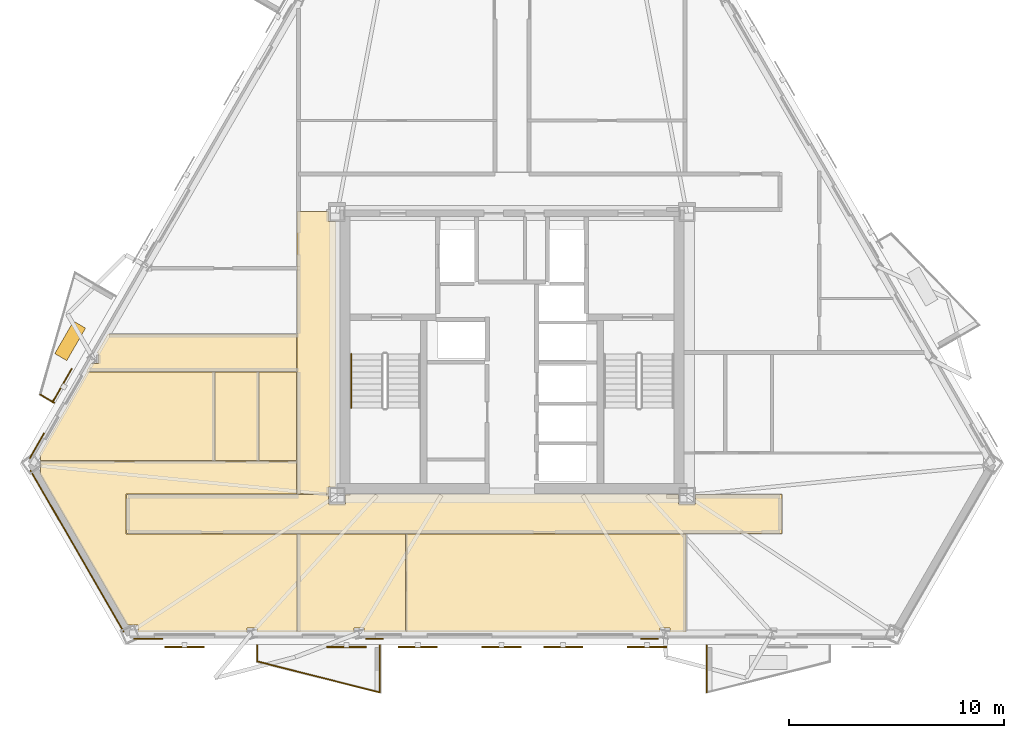
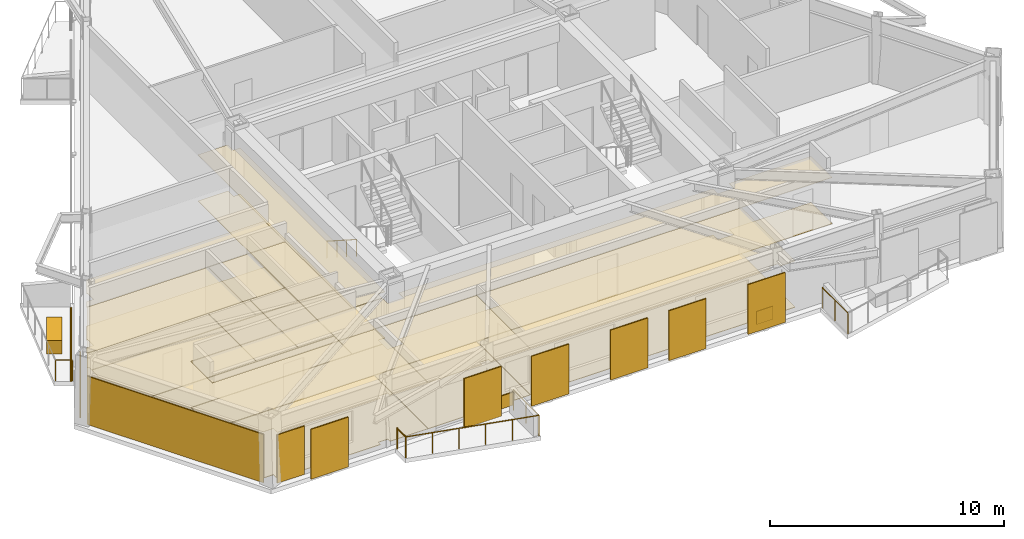
# One storey, part 7 of 9: 24 coverings, 7 shading devices, 6 railings.
"""IFC4 building model written with IfcOpenShell, lengths in metres."""

from ifc_helpers import new_model, si_unit, direction, frame, origin, origin_2d, place, context, subcontext, project, spatial, polyline, rectangle, circle, outline, extrude, material, layer, layer_set, type_object, element, save


model = new_model("IFC4")

# Units and contexts
model_context = context("Model", 3, precision=1e-05, world=origin(), true_north=direction((0.0, 1.0)))
body_context = subcontext(model_context, "Body", "Model", "MODEL_VIEW")
ifc_project = project(units=[si_unit("LENGTHUNIT", "METRE"), si_unit("AREAUNIT", "SQUARE_METRE"), si_unit("VOLUMEUNIT", "CUBIC_METRE"), si_unit("PLANEANGLEUNIT", "RADIAN"), si_unit("MASSUNIT", "GRAM", prefix="KILO")], contexts=[model_context])

# Site, building, storey
site_placement = place(None, origin())
site = spatial("IfcSite", under=ifc_project, at=site_placement, CompositionType="ELEMENT")
building_placement = place(site_placement, origin())
building = spatial("IfcBuilding", under=site, at=building_placement, Name="Oramaril Tower", CompositionType="ELEMENT")
storey_placement = place(building_placement, frame((0.0, 0.0, 156.60009765625)))
storey = spatial("IfcBuildingStorey", under=building, at=storey_placement, Name="L41", CompositionType="ELEMENT", Elevation=156.60009765625)

# Coverings
ifc_material_1 = material(Name="Mineral Fibre Acoustic Ceiling")
ifc_layer_1 = layer(ifc_material_1, 0.02001953125)
ifc_layer_set_1 = layer_set([ifc_layer_1], Name="CVT-CEIL")
covering_type_1 = type_object("IfcCoveringType", Name="CVT-CEIL", PredefinedType="CEILING", material=ifc_layer_set_1)
covering_1_placement = place(storey_placement, frame((0.0, 0.0, 2.411865234375)))
element("IfcCovering", 1, at=covering_1_placement, inside=storey, type_object=covering_type_1, Name="L41 Acoustic Suspended Ceiling 1", PredefinedType="CEILING", context=body_context, shape_type="SweptSolid", body=[
    extrude(outline(polyline([(28.955078125, 10.60498046875), (29.7451171875, 10.60498046875), (29.7451171875, 11.030029296875), (45.2548828125, 11.030029296875), (45.2548828125, 10.60498046875), (46.044921875, 10.60498046875), (46.044921875, 11.030029296875), (50.080078125, 11.030029296875), (50.080078125, 9.219970703125), (19.52001953125, 9.219970703125), (19.52001953125, 11.030029296875), (28.955078125, 11.030029296875), (28.955078125, 10.60498046875)])), origin(), (0.0, 0.0, 1.0), 0.02001953125),
])
covering_2_placement = place(storey_placement, frame((0.0, 0.0, 2.411865234375)))
element("IfcCovering", 2, at=covering_2_placement, inside=storey, type_object=covering_type_1, Name="L41 Acoustic Suspended Ceiling 3", PredefinedType="CEILING", context=body_context, shape_type="SweptSolid", body=[
    extrude(outline(polyline([(28.955078125, 23.7548828125), (29.280029296875, 23.7548828125), (29.280029296875, 11.39501953125), (28.955078125, 11.39501953125), (28.955078125, 11.050048828125), (27.469970703125, 11.050048828125), (27.469970703125, 24.219970703125), (28.955078125, 24.219970703125), (28.955078125, 23.7548828125)])), origin(), (0.0, 0.0, 1.0), 0.02001953125),
])
covering_3_placement = place(storey_placement, frame((0.0, 0.0, 2.411865234375)))
element("IfcCovering", 3, at=covering_3_placement, inside=storey, type_object=covering_type_1, Name="L41 Acoustic Suspended Ceiling 5", PredefinedType="CEILING", context=body_context, shape_type="SweptSolid", body=[
    extrude(outline(polyline([(17.6572265625, 16.77001953125), (17.8671875, 17.13330078125), (18.22021484375, 17.13330078125), (18.22021484375, 17.6298828125), (18.15380859375, 17.6298828125), (18.67333984375, 18.530029296875), (27.449951171875, 18.530029296875), (27.449951171875, 16.77001953125), (17.6572265625, 16.77001953125)])), origin(), (0.0, 0.0, 1.0), 0.02001953125),
])
covering_4_placement = place(storey_placement, frame((0.0, 0.0, 2.411865234375)))
element("IfcCovering", 4, at=covering_4_placement, inside=storey, type_object=covering_type_1, Name="L41 Acoustic Suspended Ceiling 6", PredefinedType="CEILING", context=body_context, shape_type="SweptSolid", body=[
    extrude(outline(polyline([(44.85400390625, 4.80615234375), (44.40185546875, 4.80615234375), (44.40185546875, 4.61865234375), (32.55078125, 4.61865234375), (32.55078125, 9.199951171875), (45.60205078125, 9.199951171875), (45.60205078125, 4.61865234375), (44.85400390625, 4.61865234375), (44.85400390625, 4.80615234375)])), origin(), (0.0, 0.0, 1.0), 0.02001953125),
])
covering_5_placement = place(storey_placement, frame((0.0, 0.0, 2.411865234375)))
element("IfcCovering", 5, at=covering_5_placement, inside=storey, type_object=covering_type_1, Name="L41 Acoustic Suspended Ceiling 7", PredefinedType="CEILING", context=body_context, shape_type="SweptSolid", body=[
    extrude(outline(polyline([(30.59814453125, 4.80615234375), (30.14599609375, 4.80615234375), (30.14599609375, 4.61865234375), (27.508056640625, 4.61865234375), (27.508056640625, 9.199951171875), (32.53076171875, 9.199951171875), (32.53076171875, 4.61865234375), (30.59814453125, 4.61865234375), (30.59814453125, 4.80615234375)])), origin(), (0.0, 0.0, 1.0), 0.02001953125),
])
covering_6_placement = place(storey_placement, frame((0.0, 0.0, 2.411865234375)))
element("IfcCovering", 6, at=covering_6_placement, inside=storey, type_object=covering_type_1, Name="L41 Acoustic Suspended Ceiling 8", PredefinedType="CEILING", context=body_context, shape_type="SweptSolid", body=[
    extrude(outline(polyline([(25.61328125, 4.61865234375), (25.61328125, 4.80615234375), (25.15185546875, 4.80615234375), (25.15185546875, 4.61865234375), (20.06689453125, 4.61865234375), (20.06689453125, 4.956787109375), (19.56396484375, 4.956787109375), (15.474609375, 12.0400390625), (15.516845703125, 12.0400390625), (15.516845703125, 12.592041015625), (27.449951171875, 12.592041015625), (27.449951171875, 11.050048828125), (19.52001953125, 11.050048828125), (19.51806640625, 11.0498046875), (19.51611328125, 11.049560546875), (19.51416015625, 11.049072265625), (19.51220703125, 11.048583984375), (19.510498046875, 11.047607421875), (19.5087890625, 11.046630859375), (19.50732421875, 11.04541015625), (19.505859375, 11.044189453125), (19.50439453125, 11.042724609375), (19.50341796875, 11.041015625), (19.50244140625, 11.039306640625), (19.50146484375, 11.03759765625), (19.5009765625, 11.035888671875), (19.50048828125, 11.033935546875), (19.5, 11.031982421875), (19.5, 11.030029296875), (19.5, 9.219970703125), (19.5, 9.218017578125), (19.50048828125, 9.216064453125), (19.5009765625, 9.214111328125), (19.50146484375, 9.21240234375), (19.50244140625, 9.210693359375), (19.50341796875, 9.208984375), (19.50439453125, 9.207275390625), (19.505859375, 9.205810546875), (19.50732421875, 9.20458984375), (19.5087890625, 9.203369140625), (19.510498046875, 9.202392578125), (19.51220703125, 9.201416015625), (19.51416015625, 9.200927734375), (19.51611328125, 9.200439453125), (19.51806640625, 9.2001953125), (19.52001953125, 9.199951171875), (27.488037109375, 9.199951171875), (27.488037109375, 4.61865234375), (25.61328125, 4.61865234375)])), origin(), (0.0, 0.0, 1.0), 0.02001953125),
])
covering_7_placement = place(storey_placement, frame((0.0, 0.0, 2.411865234375)))
element("IfcCovering", 7, at=covering_7_placement, inside=storey, type_object=covering_type_1, Name="L41 Acoustic Suspended Ceiling 9", PredefinedType="CEILING", context=body_context, shape_type="SweptSolid", body=[
    extrude(outline(polyline([(15.516845703125, 12.8466796875), (15.43603515625, 12.8466796875), (17.689697265625, 16.75), (23.64208984375, 16.75), (23.64208984375, 12.612060546875), (15.516845703125, 12.612060546875), (15.516845703125, 12.8466796875)])), origin(), (0.0, 0.0, 1.0), 0.02001953125),
])
covering_8_placement = place(storey_placement, frame((0.0, 0.0, 2.411865234375)))
element("IfcCovering", 8, at=covering_8_placement, inside=storey, type_object=covering_type_1, Name="L41 Acoustic Suspended Ceiling 10", PredefinedType="CEILING", context=body_context, shape_type="SweptSolid", body=[
    extrude(outline(polyline([(25.692138671875, 12.612060546875), (23.662109375, 12.612060546875), (23.662109375, 16.75), (25.692138671875, 16.75), (25.692138671875, 12.612060546875)])), origin(), (0.0, 0.0, 1.0), 0.02001953125),
])
covering_9_placement = place(storey_placement, frame((0.0, 0.0, 2.411865234375)))
element("IfcCovering", 9, at=covering_9_placement, inside=storey, type_object=covering_type_1, Name="L41 Acoustic Suspended Ceiling 11", PredefinedType="CEILING", context=body_context, shape_type="SweptSolid", body=[
    extrude(outline(polyline([(25.712158203125, 16.75), (27.449951171875, 16.75), (27.449951171875, 12.612060546875), (25.712158203125, 12.612060546875), (25.712158203125, 16.75)])), origin(), (0.0, 0.0, 1.0), 0.02001953125),
])
ifc_material_2 = material(Name="Warm Cream Limestone", Category="masonry")
ifc_layer_2 = layer(ifc_material_2, 0.050048828125)
ifc_layer_set_2 = layer_set([ifc_layer_2], Name="CVT-CLD")
covering_type_2 = type_object("IfcCoveringType", Name="CVT-CLD", PredefinedType="CLADDING", material=ifc_layer_set_2)
covering_10_placement = place(storey_placement, frame((17.22998046875, 8.397216796875, 0.039794921875), z_axis=(0.0, 0.0, 1.0), x_axis=(0.4999984885, -0.866026276448, 0.0)))
element("IfcCovering", 10, at=covering_10_placement, inside=storey, type_object=covering_type_2, Name="L41 Warm Cream Limestone Cladding", PredefinedType="CLADDING", context=body_context, shape_type="SweptSolid", body=[
    extrude(rectangle(XDim=8.6982421875, YDim=0.050048828125, at=origin_2d()), origin(), (0.0, 0.0, 1.0), 2.52001953125),
])
covering_11_placement = place(storey_placement, frame((20.546875, 4.317626953125, 0.039794921875), z_axis=(0.0, 0.0, 1.0), x_axis=(1.0, 0.0, 0.0)))
element("IfcCovering", 11, at=covering_11_placement, inside=storey, type_object=covering_type_2, Name="L41 Warm Cream Limestone Cladding", PredefinedType="CLADDING", context=body_context, shape_type="SweptSolid", body=[
    extrude(rectangle(XDim=1.35009765625, YDim=0.050048828125, at=origin_2d()), origin(), (0.0, 0.0, 1.0), 2.52001953125),
])
for number, where, z_axis, x_axis, name in (
    (12, (31.0908203125, 4.317626953125, 0.0400390625), (0.0, 0.0, 1.0), (1.0, 0.0, 0.0), "L41 Warm Cream Limestone Spandrel Cladding"),
    (13, (43.9091796875, 4.317626953125, 0.0400390625), (0.0, 0.0, 1.0), (1.0, 0.0, 0.0), "L41 Warm Cream Limestone Spandrel Cladding"),
):
    element("IfcCovering", number, at=place(storey_placement, frame(where, z_axis=z_axis, x_axis=x_axis)), inside=storey, type_object=covering_type_2, Name=name, PredefinedType="CLADDING", context=body_context, shape_type="SweptSolid", body=[
        extrude(rectangle(XDim=0.800048828125, YDim=0.050048828125, at=origin_2d()), origin(), (0.0, 0.0, 1.0), 0.679931640625),
    ])
covering_12_placement = place(storey_placement, frame((15.355712890625, 13.30908203125, 0.039794921875), z_axis=(0.0, 0.0, 1.0), x_axis=(-0.5, -0.866025403784, 0.0)))
element("IfcCovering", 14, at=covering_12_placement, inside=storey, type_object=covering_type_2, Name="L41 Warm Cream Limestone Cladding", PredefinedType="CLADDING", context=body_context, shape_type="SweptSolid", body=[
    extrude(rectangle(XDim=1.35009765625, YDim=0.050048828125, at=origin_2d()), origin(), (0.0, 0.0, 1.0), 2.52001953125),
])
covering_13_placement = place(storey_placement, frame((16.904541015625, 18.19921875, 0.0), z_axis=(0.0, 0.0, 1.0), x_axis=(-0.5, -0.866025403784, 0.0)))
element("IfcCovering", 15, at=covering_13_placement, inside=storey, type_object=covering_type_2, Name="L41 Structural Tree Planter Box L41-BAL-NW2", PredefinedType="CLADDING", context=body_context, shape_type="SweptSolid", body=[
    extrude(rectangle(XDim=1.75, YDim=0.64990234375, at=origin_2d()), origin(), (0.0, 0.0, 1.0), 0.699951171875),
])
ifc_material_3 = material(Name="Honed Quartzite Stone Flooring", Category="masonry")
ifc_layer_3 = layer(ifc_material_3, 0.02490234375)
ifc_layer_set_3 = layer_set([ifc_layer_3], Name="CVT-FLR")
covering_type_3 = type_object("IfcCoveringType", Name="CVT-FLR", PredefinedType="FLOORING", material=ifc_layer_set_3)
covering_14_placement = place(storey_placement, origin())
element("IfcCovering", 16, at=covering_14_placement, inside=storey, type_object=covering_type_3, Name="L41 Honed Stone Floor Finish 1", PredefinedType="FLOORING", context=body_context, shape_type="SweptSolid", body=[
    extrude(outline(polyline([(28.955078125, 10.60498046875), (29.7451171875, 10.60498046875), (29.7451171875, 11.030029296875), (45.2548828125, 11.030029296875), (45.2548828125, 10.60498046875), (46.044921875, 10.60498046875), (46.044921875, 11.030029296875), (50.080078125, 11.030029296875), (50.080078125, 9.219970703125), (19.52001953125, 9.219970703125), (19.52001953125, 11.030029296875), (28.955078125, 11.030029296875), (28.955078125, 10.60498046875)])), origin(), (0.0, 0.0, 1.0), 0.02490234375),
])
covering_15_placement = place(storey_placement, origin())
element("IfcCovering", 17, at=covering_15_placement, inside=storey, type_object=covering_type_3, Name="L41 Honed Stone Floor Finish 3", PredefinedType="FLOORING", context=body_context, shape_type="SweptSolid", body=[
    extrude(outline(polyline([(28.955078125, 23.7548828125), (29.280029296875, 23.7548828125), (29.280029296875, 11.39501953125), (28.955078125, 11.39501953125), (28.955078125, 11.050048828125), (27.469970703125, 11.050048828125), (27.469970703125, 24.219970703125), (28.955078125, 24.219970703125), (28.955078125, 23.7548828125)])), origin(), (0.0, 0.0, 1.0), 0.02490234375),
])
covering_16_placement = place(storey_placement, origin())
element("IfcCovering", 18, at=covering_16_placement, inside=storey, type_object=covering_type_3, Name="L41 Honed Stone Floor Finish 5", PredefinedType="FLOORING", context=body_context, shape_type="SweptSolid", body=[
    extrude(outline(polyline([(17.6572265625, 16.77001953125), (17.8671875, 17.13330078125), (18.22021484375, 17.13330078125), (18.22021484375, 17.6298828125), (18.15380859375, 17.6298828125), (18.67333984375, 18.530029296875), (27.449951171875, 18.530029296875), (27.449951171875, 16.77001953125), (17.6572265625, 16.77001953125)])), origin(), (0.0, 0.0, 1.0), 0.02490234375),
])
covering_17_placement = place(storey_placement, origin())
element("IfcCovering", 19, at=covering_17_placement, inside=storey, type_object=covering_type_3, Name="L41 Honed Stone Floor Finish 6", PredefinedType="FLOORING", context=body_context, shape_type="SweptSolid", body=[
    extrude(outline(polyline([(44.85400390625, 4.80615234375), (44.40185546875, 4.80615234375), (44.40185546875, 4.61865234375), (32.55078125, 4.61865234375), (32.55078125, 9.199951171875), (45.60205078125, 9.199951171875), (45.60205078125, 4.61865234375), (44.85400390625, 4.61865234375), (44.85400390625, 4.80615234375)])), origin(), (0.0, 0.0, 1.0), 0.02490234375),
])
covering_18_placement = place(storey_placement, origin())
element("IfcCovering", 20, at=covering_18_placement, inside=storey, type_object=covering_type_3, Name="L41 Honed Stone Floor Finish 7", PredefinedType="FLOORING", context=body_context, shape_type="SweptSolid", body=[
    extrude(outline(polyline([(30.59814453125, 4.80615234375), (30.14599609375, 4.80615234375), (30.14599609375, 4.61865234375), (27.508056640625, 4.61865234375), (27.508056640625, 9.199951171875), (32.53076171875, 9.199951171875), (32.53076171875, 4.61865234375), (30.59814453125, 4.61865234375), (30.59814453125, 4.80615234375)])), origin(), (0.0, 0.0, 1.0), 0.02490234375),
])
covering_19_placement = place(storey_placement, origin())
element("IfcCovering", 21, at=covering_19_placement, inside=storey, type_object=covering_type_3, Name="L41 Honed Stone Floor Finish 8", PredefinedType="FLOORING", context=body_context, shape_type="SweptSolid", body=[
    extrude(outline(polyline([(25.61328125, 4.61865234375), (25.61328125, 4.80615234375), (25.15185546875, 4.80615234375), (25.15185546875, 4.61865234375), (20.06689453125, 4.61865234375), (20.06689453125, 4.956787109375), (19.56396484375, 4.956787109375), (15.474609375, 12.0400390625), (15.516845703125, 12.0400390625), (15.516845703125, 12.592041015625), (27.449951171875, 12.592041015625), (27.449951171875, 11.050048828125), (19.52001953125, 11.050048828125), (19.51806640625, 11.0498046875), (19.51611328125, 11.049560546875), (19.51416015625, 11.049072265625), (19.51220703125, 11.048583984375), (19.510498046875, 11.047607421875), (19.5087890625, 11.046630859375), (19.50732421875, 11.04541015625), (19.505859375, 11.044189453125), (19.50439453125, 11.042724609375), (19.50341796875, 11.041015625), (19.50244140625, 11.039306640625), (19.50146484375, 11.03759765625), (19.5009765625, 11.035888671875), (19.50048828125, 11.033935546875), (19.5, 11.031982421875), (19.5, 11.030029296875), (19.5, 9.219970703125), (19.5, 9.218017578125), (19.50048828125, 9.216064453125), (19.5009765625, 9.214111328125), (19.50146484375, 9.21240234375), (19.50244140625, 9.210693359375), (19.50341796875, 9.208984375), (19.50439453125, 9.207275390625), (19.505859375, 9.205810546875), (19.50732421875, 9.20458984375), (19.5087890625, 9.203369140625), (19.510498046875, 9.202392578125), (19.51220703125, 9.201416015625), (19.51416015625, 9.200927734375), (19.51611328125, 9.200439453125), (19.51806640625, 9.2001953125), (19.52001953125, 9.199951171875), (27.488037109375, 9.199951171875), (27.488037109375, 4.61865234375), (25.61328125, 4.61865234375)])), origin(), (0.0, 0.0, 1.0), 0.02490234375),
])
covering_20_placement = place(storey_placement, origin())
element("IfcCovering", 22, at=covering_20_placement, inside=storey, type_object=covering_type_3, Name="L41 Honed Stone Floor Finish 9", PredefinedType="FLOORING", context=body_context, shape_type="SweptSolid", body=[
    extrude(outline(polyline([(15.516845703125, 12.8466796875), (15.43603515625, 12.8466796875), (17.689697265625, 16.75), (23.64208984375, 16.75), (23.64208984375, 12.612060546875), (15.516845703125, 12.612060546875), (15.516845703125, 12.8466796875)])), origin(), (0.0, 0.0, 1.0), 0.02490234375),
])
covering_21_placement = place(storey_placement, origin())
element("IfcCovering", 23, at=covering_21_placement, inside=storey, type_object=covering_type_3, Name="L41 Honed Stone Floor Finish 10", PredefinedType="FLOORING", context=body_context, shape_type="SweptSolid", body=[
    extrude(outline(polyline([(25.692138671875, 12.612060546875), (23.662109375, 12.612060546875), (23.662109375, 16.75), (25.692138671875, 16.75), (25.692138671875, 12.612060546875)])), origin(), (0.0, 0.0, 1.0), 0.02490234375),
])
covering_22_placement = place(storey_placement, origin())
element("IfcCovering", 24, at=covering_22_placement, inside=storey, type_object=covering_type_3, Name="L41 Honed Stone Floor Finish 11", PredefinedType="FLOORING", context=body_context, shape_type="SweptSolid", body=[
    extrude(outline(polyline([(25.712158203125, 16.75), (27.449951171875, 16.75), (27.449951171875, 12.612060546875), (25.712158203125, 12.612060546875), (25.712158203125, 16.75)])), origin(), (0.0, 0.0, 1.0), 0.02490234375),
])

# Railings
ifc_material_4 = material(Name="Stainless Steel 316L", Category="steel")
railing_type_1 = type_object("IfcRailingType", Name="RLT-GRD", PredefinedType="GUARDRAIL", material=ifc_material_4)
railing_1_placement = place(storey_placement, frame((31.34619140625, 4.002685546875, 0.0)))
element("IfcRailing", 25, at=railing_1_placement, inside=storey, type_object=railing_type_1, Name="L41 Balcony Guardrail L41-BAL-S1.1", PredefinedType="GUARDRAIL", context=body_context, shape_type="SweptSolid", body=[
    extrude(circle(Radius=0.02392578125, at=origin_2d()), frame((0.0, 0.0, 1.076171875), z_axis=(0.0, -1.0, 0.0), x_axis=(1.0, 0.0, 0.0)), (0.0, 0.0, 1.0), 2.19189453125),
    extrude(circle(Radius=0.02099609375, at=origin_2d()), origin(), (0.0, 0.0, 1.0), 1.052001953125),
    extrude(circle(Radius=0.02099609375, at=origin_2d()), frame((0.0, -1.095947265625, 0.0)), (0.0, 0.0, 1.0), 1.052001953125),
    extrude(circle(Radius=0.02099609375, at=origin_2d()), frame((0.0, -2.19189453125, 0.0)), (0.0, 0.0, 1.0), 1.052001953125),
])
railing_2_placement = place(storey_placement, frame((31.34619140625, 1.810791015625, 0.0)))
element("IfcRailing", 26, at=railing_2_placement, inside=storey, type_object=railing_type_1, Name="L41 Balcony Guardrail L41-BAL-S1.2", PredefinedType="GUARDRAIL", context=body_context, shape_type="SweptSolid", body=[
    extrude(circle(Radius=0.02392578125, at=origin_2d()), frame((0.0, 0.0, 1.076171875), z_axis=(-0.969443611257, 0.245314256807, 0.0), x_axis=(-0.245314256807, -0.969443611257, 0.0)), (0.0, 0.0, 1.0), 5.91064453125),
    extrude(circle(Radius=0.02099609375, at=origin_2d()), origin(), (0.0, 0.0, 1.0), 1.052001953125),
    extrude(circle(Radius=0.02099609375, at=origin_2d()), frame((-1.14599609375, 0.2900390625, 0.0)), (0.0, 0.0, 1.0), 1.052001953125),
    extrude(circle(Radius=0.02099609375, at=origin_2d()), frame((-2.2919921875, 0.580078125, 0.0)), (0.0, 0.0, 1.0), 1.052001953125),
    extrude(circle(Radius=0.02099609375, at=origin_2d()), frame((-3.43798828125, 0.869873046875, 0.0)), (0.0, 0.0, 1.0), 1.052001953125),
    extrude(circle(Radius=0.02099609375, at=origin_2d()), frame((-4.583984375, 1.159912109375, 0.0)), (0.0, 0.0, 1.0), 1.052001953125),
    extrude(circle(Radius=0.02099609375, at=origin_2d()), frame((-5.72998046875, 1.449951171875, 0.0)), (0.0, 0.0, 1.0), 1.052001953125),
])
railing_3_placement = place(storey_placement, frame((25.6162109375, 3.2607421875, 0.0)))
element("IfcRailing", 27, at=railing_3_placement, inside=storey, type_object=railing_type_1, Name="L41 Balcony Guardrail L41-BAL-S1.3", PredefinedType="GUARDRAIL", context=body_context, shape_type="SweptSolid", body=[
    extrude(circle(Radius=0.02392578125, at=origin_2d()), frame((0.0, 0.0, 1.076171875), z_axis=(0.0, 1.0, 0.0), x_axis=(-1.0, 0.0, 0.0)), (0.0, 0.0, 1.0), 0.741943359375),
    extrude(circle(Radius=0.02099609375, at=origin_2d()), origin(), (0.0, 0.0, 1.0), 1.052001953125),
    extrude(circle(Radius=0.02099609375, at=origin_2d()), frame((0.0, 0.741943359375, 0.0)), (0.0, 0.0, 1.0), 1.052001953125),
])
railing_4_placement = place(storey_placement, frame((46.578857421875, 1.810791015625, 0.0)))
element("IfcRailing", 28, at=railing_4_placement, inside=storey, type_object=railing_type_1, Name="L41 Balcony Guardrail L41-BAL-S2.3", PredefinedType="GUARDRAIL", context=body_context, shape_type="SweptSolid", body=[
    extrude(circle(Radius=0.02392578125, at=origin_2d()), frame((0.0, 0.0, 1.076171875), z_axis=(0.0, 1.0, 0.0), x_axis=(-1.0, 0.0, 0.0)), (0.0, 0.0, 1.0), 2.19189453125),
    extrude(circle(Radius=0.02099609375, at=origin_2d()), origin(), (0.0, 0.0, 1.0), 1.052001953125),
    extrude(circle(Radius=0.02099609375, at=origin_2d()), frame((0.0, 1.095947265625, 0.0)), (0.0, 0.0, 1.0), 1.052001953125),
    extrude(circle(Radius=0.02099609375, at=origin_2d()), frame((0.0, 2.19189453125, 0.0)), (0.0, 0.0, 1.0), 1.052001953125),
])
railing_5_placement = place(storey_placement, frame((16.15478515625, 15.323974609375, 0.0)))
element("IfcRailing", 29, at=railing_5_placement, inside=storey, type_object=railing_type_1, Name="L41 Balcony Guardrail L41-BAL-NW2.1", PredefinedType="GUARDRAIL", context=body_context, shape_type="SweptSolid", body=[
    extrude(circle(Radius=0.02392578125, at=origin_2d()), frame((0.0, 0.0, 1.076171875), z_axis=(-0.866026623601, 0.49999788721, 0.0), x_axis=(-0.49999788721, -0.866026623601, 0.0)), (0.0, 0.0, 1.0), 0.74169921875),
    extrude(circle(Radius=0.02099609375, at=origin_2d()), origin(), (0.0, 0.0, 1.0), 1.052001953125),
    extrude(circle(Radius=0.02099609375, at=origin_2d()), frame((-0.642333984375, 0.370849609375, 0.0)), (0.0, 0.0, 1.0), 1.052001953125),
])
ifc_material_5 = material(Name="Stainless Steel 316L", Category="steel")
railing_type_2 = type_object("IfcRailingType", Name="RLT-HND", PredefinedType="HANDRAIL", material=ifc_material_5)
railing_6_placement = place(storey_placement, frame((30.0, 17.590087890625, 0.179931640625)))
element("IfcRailing", 30, at=railing_6_placement, inside=storey, type_object=railing_type_2, Name="L41 ST-1 stair handrail 1", PredefinedType="HANDRAIL", context=body_context, shape_type="SweptSolid", body=[
    extrude(circle(Radius=0.02392578125, at=origin_2d()), frame((0.0, 0.0, 0.8759765625), z_axis=(0.0, -0.841199657755, 0.540724639528), x_axis=(1.0, 0.0, 0.0)), (0.0, 0.0, 1.0), 2.995849609375),
    extrude(circle(Radius=0.02099609375, at=origin_2d()), origin(), (0.0, 0.0, 1.0), 0.851806640625),
    extrude(circle(Radius=0.02099609375, at=origin_2d()), frame((0.0, -0.840087890625, 0.5400390625)), (0.0, 0.0, 1.0), 0.851806640625),
    extrude(circle(Radius=0.02099609375, at=origin_2d()), frame((0.0, -1.679931640625, 1.079833984375)), (0.0, 0.0, 1.0), 0.851806640625),
    extrude(circle(Radius=0.02099609375, at=origin_2d()), frame((0.0, -2.52001953125, 1.619873046875)), (0.0, 0.0, 1.0), 0.851806640625),
])

# Shading devices
for number, where, z_axis, x_axis, name in (
    (31, (33.1083984375, 3.9306640625, -0.020263671875), (0.0, 0.0, 1.0), (1.0, 0.0, 0.0), "L41 Perforated Ceramic Solar Screen"),
    (32, (37.008544921875, 3.9306640625, -0.020263671875), (0.0, 0.0, 1.0), (1.0, 0.0, 0.0), "L41 Perforated Ceramic Solar Screen"),
    (33, (39.88525390625, 3.9306640625, -0.020263671875), (0.0, 0.0, 1.0), (1.0, 0.0, 0.0), "L41 Perforated Ceramic Solar Screen"),
    (34, (43.785400390625, 3.9306640625, -0.020263671875), (0.0, 0.0, 1.0), (1.0, 0.0, 0.0), "L41 Perforated Ceramic Solar Screen"),
    (35, (29.787109375, 3.9306640625, -0.020263671875), (0.0, 0.0, 1.0), (1.0, 0.0, 0.0), "L41 Perforated Ceramic Solar Screen"),
    (36, (22.235595703125, 3.9306640625, -0.020263671875), (0.0, 0.0, 1.0), (1.0, 0.0, 0.0), "L41 Perforated Ceramic Solar Screen"),
    (37, (16.525634765625, 16.110107421875, -0.020263671875), (0.0, 0.0, 1.0), (-0.5, -0.866025403784, 0.0), "L41 Perforated Ceramic Solar Screen"),
):
    element("IfcShadingDevice", number, at=place(storey_placement, frame(where, z_axis=z_axis, x_axis=x_axis)), inside=storey, Name=name, ObjectType="SCREEN", PredefinedType="USERDEFINED", context=body_context, shape_type="SweptSolid", body=[
        extrude(rectangle(XDim=1.8330078125, YDim=0.050048828125, at=origin_2d()), origin(), (0.0, 0.0, 1.0), 2.60009765625),
    ])

save(model, "model.ifc")
